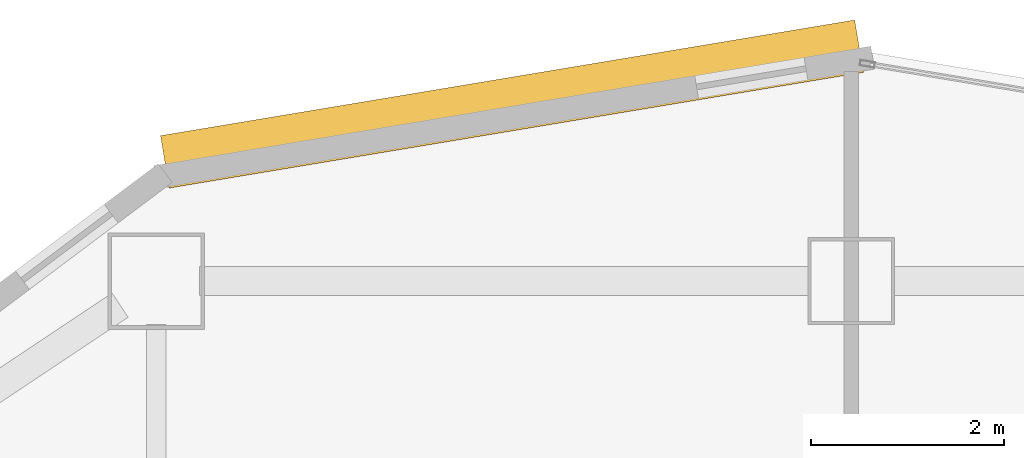
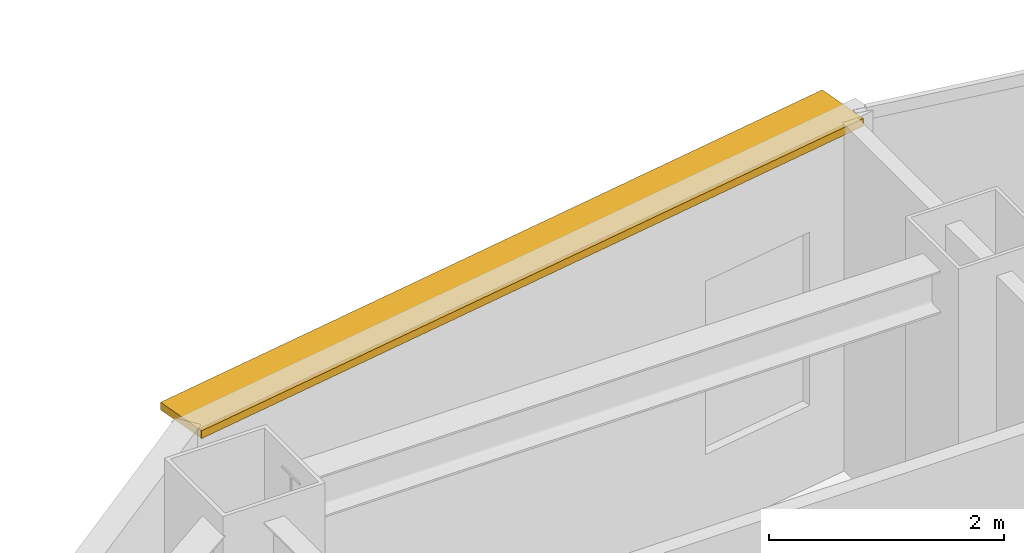
# One storey, part 13 of 13: 1 shading device.
"""IFC4 building model written with IfcOpenShell, lengths in metres."""

from ifc_helpers import new_model, si_unit, direction, frame, origin, origin_2d, place, context, subcontext, project, spatial, rectangle, extrude, material, layer, layer_set, type_object, element, save


model = new_model("IFC4")

# Units and contexts
model_context = context("Model", 3, precision=1e-05, world=origin(), true_north=direction((0.0, 1.0)))
body_context = subcontext(model_context, "Body", "Model", "MODEL_VIEW")
ifc_project = project(units=[si_unit("LENGTHUNIT", "METRE"), si_unit("AREAUNIT", "SQUARE_METRE"), si_unit("VOLUMEUNIT", "CUBIC_METRE"), si_unit("PLANEANGLEUNIT", "RADIAN"), si_unit("MASSUNIT", "GRAM", prefix="KILO")], contexts=[model_context])

# Site, building, storey
site_placement = place(None, origin())
site = spatial("IfcSite", under=ifc_project, at=site_placement, CompositionType="ELEMENT")
building_placement = place(site_placement, origin())
building = spatial("IfcBuilding", under=site, at=building_placement, Name="Haolan Belvedere Tower", CompositionType="ELEMENT")
storey_placement = place(building_placement, frame((0.0, 0.0, 106.0)))
storey = spatial("IfcBuildingStorey", under=building, at=storey_placement, Name="L26", CompositionType="ELEMENT", Elevation=106.0)

# Shading device
ifc_material = material(Name="Anodised champagne-silver aluminium 6063-T6", Category="aluminium")
ifc_layer = layer(ifc_material, 0.080078125, Name="Anodised champagne-silver aluminium 6063-T6")
ifc_layer_set = layer_set([ifc_layer], Name="Anodised champagne-silver aluminium 6063-T6")
shading_device_type = type_object("IfcShadingDeviceType", Name="SHD-SUN-550", PredefinedType="USERDEFINED", material=ifc_layer_set)
shading_device_placement = place(storey_placement, frame((34.885009765625, 52.234375, 3.5), z_axis=(0.0, 0.0, 1.0), x_axis=(-0.986394848329, -0.164393440227, 0.0)))
element("IfcShadingDevice", 1, at=shading_device_placement, inside=storey, type_object=shading_device_type, Name="L26 pale-metal horizontal SUNSHADE band 28.1", ObjectType="SUNSHADE", PredefinedType="USERDEFINED", context=body_context, shape_type="SweptSolid", body=[
    extrude(rectangle(XDim=7.2900390625, YDim=0.550048828125, at=origin_2d()), origin(), (0.0, 0.0, 1.0), 0.080078125),
])

save(model, "model.ifc")
